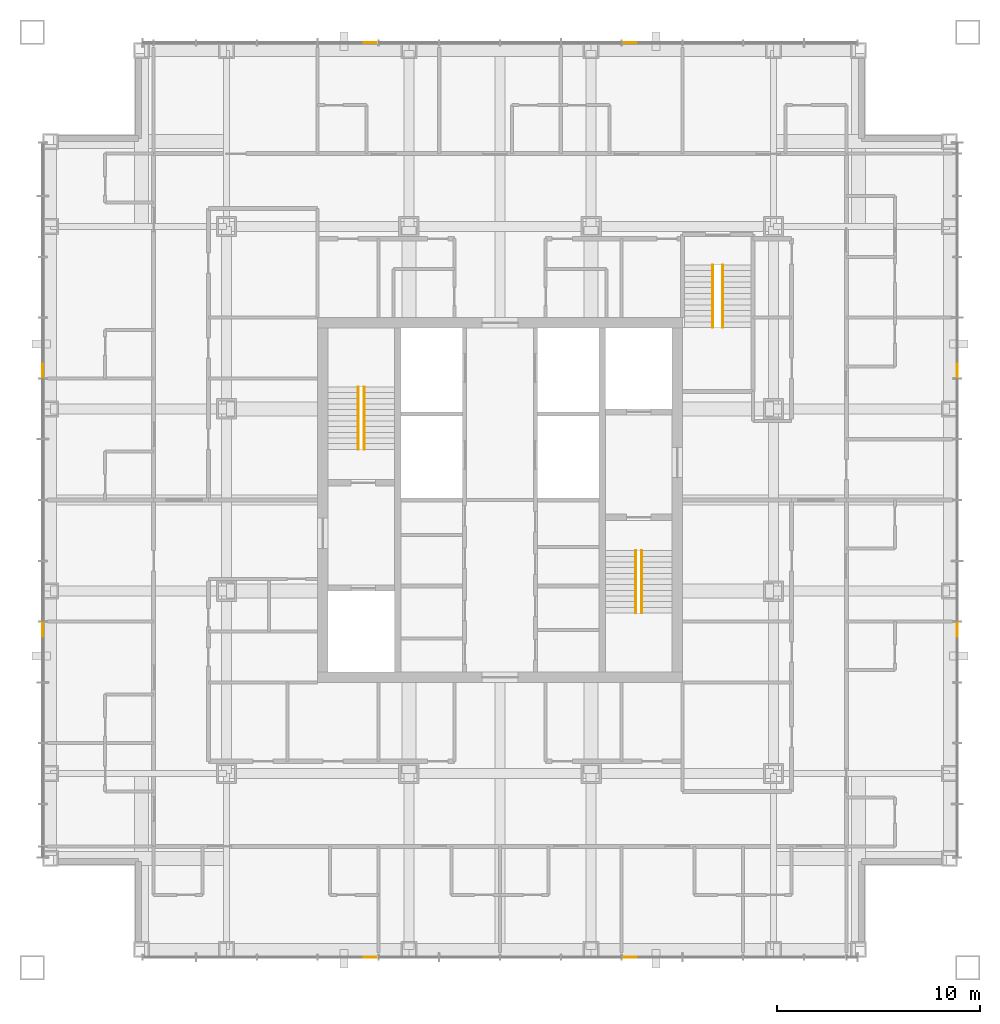
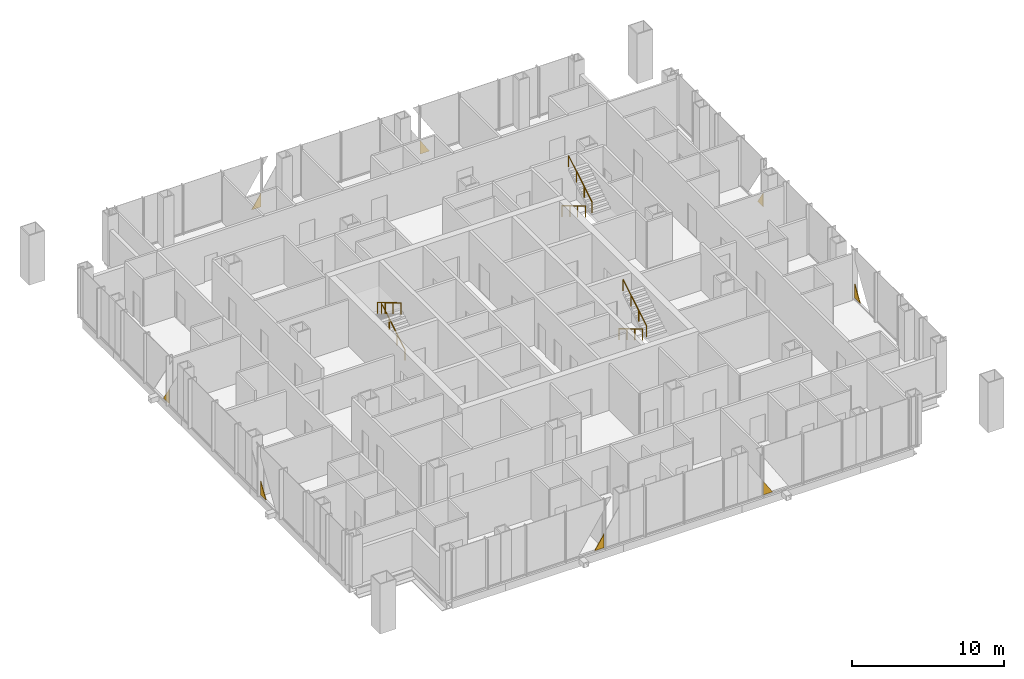
# One storey, part 18 of 20: 8 coverings, 6 railings.
"""IFC4 building model written with IfcOpenShell, lengths in metres."""

import ifcopenshell
import ifcopenshell.guid

model = None  # the IFC model being written
_history = None  # IfcOwnerHistory: only IFC2X3 demands one
_inside = {}  # id of a spatial element -> (the spatial element, [elements in it])
_under = {}  # id of a project, library or spatial element -> (it, [spatial elements below it])
_declared = {}  # id of a project -> (the project, [libraries it declares])
_typed = {}  # id of a type object -> (the type object, [elements of that type])
_made_of = {}  # id of a material, layer set ... -> (it, [elements and type objects made of it])


def new_model(schema):
    """Start an empty IFC model of exactly this schema.

    Asked for "IFC4X3", IfcOpenShell would pick the latest addendum, in which some entities
    have other attributes; the version numbers below select the first issue.
    IFC2X3 requires an IfcOwnerHistory on every rooted entity: one is made here for all.
    """
    global model, _history
    if schema == "IFC4X3":
        model = ifcopenshell.file(schema_version=(4, 3, 0, 0))
    else:
        model = ifcopenshell.file(schema=schema)
    _inside.clear()
    _under.clear()
    _declared.clear()
    _typed.clear()
    _made_of.clear()
    _history = None
    if model.schema == "IFC2X3":
        org = make("IfcOrganization", Name="unknown")
        user = make(
            "IfcPersonAndOrganization",
            ThePerson=make("IfcPerson", FamilyName="unknown"),
            TheOrganization=org,
        )
        app = make(
            "IfcApplication",
            ApplicationDeveloper=org,
            Version="unknown",
            ApplicationFullName="unknown",
            ApplicationIdentifier="unknown",
        )
        _history = make(
            "IfcOwnerHistory",
            OwningUser=user,
            OwningApplication=app,
            ChangeAction="ADDED",
            CreationDate=0,
        )
    return model


def make(cls, **values):
    """One entity of the class cls with the attributes given. An attribute that is None is left unset."""
    return model.create_entity(
        cls, **{name: value for name, value in values.items() if value is not None}
    )


def rooted(cls, **values):
    """An entity with a GlobalId (a new one), such as an element, a storey or a relation."""
    return make(cls, GlobalId=ifcopenshell.guid.new(), OwnerHistory=_history, **values)


def si_unit(unit_type, name, prefix=None):
    """IfcSIUnit, for example si_unit("LENGTHUNIT", "METRE", prefix="MILLI")."""
    return make("IfcSIUnit", UnitType=unit_type, Prefix=prefix, Name=name)


def assignment(units):
    """IfcUnitAssignment: the units of a project."""
    return None if units is None else make("IfcUnitAssignment", Units=units)


def point(xyz):
    """IfcCartesianPoint."""
    return None if xyz is None else make("IfcCartesianPoint", Coordinates=xyz)


def direction(xyz):
    """IfcDirection."""
    return None if xyz is None else make("IfcDirection", DirectionRatios=xyz)


def frame(location, z_axis=None, x_axis=None):
    """IfcAxis2Placement3D, a coordinate frame: its origin and axes. An axis left out is left unset."""
    return make(
        "IfcAxis2Placement3D",
        Location=point(location),
        Axis=direction(z_axis),
        RefDirection=direction(x_axis),
    )


def frame_2d(location, x_axis=None):
    """IfcAxis2Placement2D, a coordinate frame in the plane: its origin and x axis."""
    return make(
        "IfcAxis2Placement2D", Location=point(location), RefDirection=direction(x_axis)
    )


def origin():
    """The frame at (0, 0, 0) with its axes left unset."""
    return frame((0.0, 0.0, 0.0))


def origin_2d():
    """The frame at (0, 0) in the plane with its x axis left unset."""
    return frame_2d((0.0, 0.0))


def place(relative_to, where):
    """IfcLocalPlacement: puts the frame where relative to a parent placement (None: the world)."""
    return make(
        "IfcLocalPlacement", PlacementRelTo=relative_to, RelativePlacement=where
    )


def context(
    kind, dimensions, precision=None, world=None, true_north=None, identifier=None
):
    """IfcGeometricRepresentationContext, for example the 3D "Model" context."""
    return make(
        "IfcGeometricRepresentationContext",
        ContextIdentifier=identifier,
        ContextType=kind,
        CoordinateSpaceDimension=dimensions,
        Precision=precision,
        WorldCoordinateSystem=world,
        TrueNorth=true_north,
    )


def subcontext(parent, identifier, kind, view, scale=None):
    """IfcGeometricRepresentationSubContext, for example "Body" below "Model"."""
    return make(
        "IfcGeometricRepresentationSubContext",
        ContextIdentifier=identifier,
        ContextType=kind,
        ParentContext=parent,
        TargetScale=scale,
        TargetView=view,
    )


def project(units=None, contexts=None):
    """IfcProject with its units and contexts."""
    return rooted(
        "IfcProject",
        Name="project",
        RepresentationContexts=contexts,
        UnitsInContext=assignment(units),
    )


def spatial(cls, under=None, at=None, **own):
    """A site, building, storey or space (cls), placed at a placement, below another one or the project."""
    s = rooted(cls, ObjectPlacement=at, **own)
    if under is not None:
        _under.setdefault(under.id(), (under, []))[1].append(s)
    return s


def polyline(points):
    """IfcPolyline through the points."""
    return make("IfcPolyline", Points=[point(p) for p in points])


def profile(cls, at=None, kind="AREA", **sizes):
    """A parametric profile (cls). Its sizes go by their IFC names, for example OverallWidth=200.0."""
    return make(cls, ProfileType=kind, Position=at, **sizes)


def circle(**sizes):
    """IfcCircleProfileDef."""
    return profile("IfcCircleProfileDef", **sizes)


def outline(outer, holes=None, kind="AREA"):
    """IfcArbitraryClosedProfileDef: a profile drawn as a closed curve; with holes, ...WithVoids."""
    if holes is None:
        return make("IfcArbitraryClosedProfileDef", ProfileType=kind, OuterCurve=outer)
    return make(
        "IfcArbitraryProfileDefWithVoids",
        ProfileType=kind,
        OuterCurve=outer,
        InnerCurves=holes,
    )


def extrude(swept, where, along, depth):
    """IfcExtrudedAreaSolid: the profile swept, set in the frame where, extruded along a direction by depth."""
    return make(
        "IfcExtrudedAreaSolid",
        SweptArea=swept,
        Position=where,
        ExtrudedDirection=direction(along),
        Depth=depth,
    )


def shape(context_of_items, identifier, shape_type, items):
    """IfcShapeRepresentation: the items that make up one representation, for example the "Body"."""
    return make(
        "IfcShapeRepresentation",
        ContextOfItems=context_of_items,
        RepresentationIdentifier=identifier,
        RepresentationType=shape_type,
        Items=items,
    )


def material(Name=None, Category=None):
    """IfcMaterial."""
    return make("IfcMaterial", Name=Name, Category=Category)


def layer(
    of_material, thickness, ventilated=None, Name=None, Category=None, Priority=None
):
    """IfcMaterialLayer: one layer of a wall or slab, of a material (None: an air gap)."""
    return make(
        "IfcMaterialLayer",
        Material=of_material,
        LayerThickness=thickness,
        IsVentilated=ventilated,
        Name=Name,
        Category=Category,
        Priority=Priority,
    )


def layer_set(layers, Name=None):
    """IfcMaterialLayerSet."""
    return make("IfcMaterialLayerSet", MaterialLayers=layers, LayerSetName=Name)


def made_of(thing, what):
    """Note that an element or type object is made of a material, layer set ...; save() writes the relation."""
    if what is not None:
        _made_of.setdefault(what.id(), (what, []))[1].append(thing)
    return thing


def type_object(cls, material=None, **own):
    """A type object (cls), such as IfcWallType, which elements share."""
    return made_of(rooted(cls, **own), material)


def element(
    cls,
    number,
    at=None,
    inside=None,
    cuts=None,
    type_object=None,
    material=None,
    context=None,
    identifier="Body",
    shape_type=None,
    held_by="IfcProductDefinitionShape",
    body=None,
    shapes=None,
    **own,
):
    """One element of the class cls, such as IfcWall. Its Tag is "e" and its number.

    at: its placement. inside: the storey or other place that contains it. cuts: it is an
    opening in that element (IfcRelVoidsElement). A single representation is given by context,
    identifier, shape_type and body (its items); several are given by shapes. held_by: the class
    of the entity that holds the representations. save() writes the other relations.
    """
    e = rooted(cls, Tag="e%d" % number, ObjectPlacement=at, **own)
    if body is not None:
        shapes = [shape(context, identifier, shape_type, body)]
    if shapes is not None:
        e.Representation = make(held_by, Representations=shapes)
    if inside is not None:
        _inside.setdefault(inside.id(), (inside, []))[1].append(e)
    if cuts is not None:
        rooted(
            "IfcRelVoidsElement", RelatingBuildingElement=cuts, RelatedOpeningElement=e
        )
    if type_object is not None:
        _typed.setdefault(type_object.id(), (type_object, []))[1].append(e)
    return made_of(e, material)


def aggregate(whole, parts):
    """IfcRelAggregates: a whole, such as a stair, and the parts it consists of."""
    return rooted("IfcRelAggregates", RelatingObject=whole, RelatedObjects=parts)


def save(model, path):
    """Write the relations noted so far, then the file.

    IfcRelAggregates (storeys below a building ...), IfcRelContainedInSpatialStructure (elements
    in a storey), IfcRelDefinesByType, IfcRelAssociatesMaterial and IfcRelDeclares: one each for
    every whole, place, type object, material and project.
    """
    for whole, parts in _under.values():
        aggregate(whole, parts)
    for where, things in _inside.values():
        rooted(
            "IfcRelContainedInSpatialStructure",
            RelatedElements=things,
            RelatingStructure=where,
        )
    for kind, things in _typed.values():
        rooted("IfcRelDefinesByType", RelatedObjects=things, RelatingType=kind)
    for what, things in _made_of.values():
        rooted("IfcRelAssociatesMaterial", RelatedObjects=things, RelatingMaterial=what)
    for by, libraries in _declared.values():
        rooted("IfcRelDeclares", RelatingContext=by, RelatedDefinitions=libraries)
    model.write(path)


model = new_model("IFC4")

# Units and contexts
model_context = context("Model", 3, precision=1e-05, world=origin(), true_north=direction((0.0, 1.0)))
body_context = subcontext(model_context, "Body", "Model", "MODEL_VIEW")
ifc_project = project(units=[si_unit("LENGTHUNIT", "METRE"), si_unit("AREAUNIT", "SQUARE_METRE"), si_unit("VOLUMEUNIT", "CUBIC_METRE"), si_unit("PLANEANGLEUNIT", "RADIAN"), si_unit("MASSUNIT", "GRAM", prefix="KILO")], contexts=[model_context])

# Site, building, storey
site_placement = place(None, origin())
site = spatial("IfcSite", under=ifc_project, at=site_placement, CompositionType="ELEMENT")
building_placement = place(site_placement, origin())
building = spatial("IfcBuilding", under=site, at=building_placement, Name="Malebo Sky Hospital", CompositionType="ELEMENT")
storey_placement = place(building_placement, frame((0.0, 0.0, 233.0)))
storey = spatial("IfcBuildingStorey", under=building, at=storey_placement, Name="L56", CompositionType="ELEMENT", Elevation=233.0)

# Coverings
ifc_material_1 = material(Name="Anodised aluminium, natural silver insulated infill panel", Category="aluminium")
ifc_layer = layer(ifc_material_1, 0.0400390625)
ifc_layer_set = layer_set([ifc_layer], Name="BRACE INFILL PANEL 40")
covering_type = type_object("IfcCoveringType", Name="BRACE INFILL PANEL 40", PredefinedType="CLADDING", material=ifc_layer_set)
covering_1_placement = place(storey_placement, frame((53.603759765625, 84.574951171875, 0.10009765625), z_axis=(0.0, 0.0, 1.0), x_axis=(1.0, 0.0, 0.0)))
element("IfcCovering", 1, at=covering_1_placement, inside=storey, type_object=covering_type, Name="Brace infill panel 5.1", PredefinedType="CLADDING", context=body_context, shape_type="SweptSolid", body=[
    extrude(outline(polyline([(-0.358642578125, 0.0), (0.358642578125, 0.0), (0.358642578125, 1.117919921875), (-0.358642578125, 0.0)])), frame((0.0, 0.02001953125, 0.0), z_axis=(0.0, -1.0, 0.0), x_axis=(1.0, 0.0, 0.0)), (0.0, 0.0, 1.0), 0.0400390625),
])
covering_2_placement = place(storey_placement, frame((66.396240234375, 84.574951171875, 0.10009765625), z_axis=(0.0, 0.0, 1.0), x_axis=(1.0, 0.0, 0.0)))
element("IfcCovering", 2, at=covering_2_placement, inside=storey, type_object=covering_type, Name="Brace infill panel 10.1", PredefinedType="CLADDING", context=body_context, shape_type="SweptSolid", body=[
    extrude(outline(polyline([(-0.358642578125, 0.0), (0.358642578125, 0.0), (-0.358642578125, 1.117919921875), (-0.358642578125, 0.0)])), frame((0.0, 0.02001953125, 0.0), z_axis=(0.0, -1.0, 0.0), x_axis=(1.0, 0.0, 0.0)), (0.0, 0.0, 1.0), 0.0400390625),
])
covering_3_placement = place(storey_placement, frame((37.425048828125, 55.603759765625, 0.10009765625), z_axis=(0.0, 0.0, 1.0), x_axis=(0.0, 1.0, 0.0)))
element("IfcCovering", 3, at=covering_3_placement, inside=storey, type_object=covering_type, Name="Brace infill panel 5.1", PredefinedType="CLADDING", context=body_context, shape_type="SweptSolid", body=[
    extrude(outline(polyline([(-0.358642578125, 0.0), (0.358642578125, 0.0), (0.358642578125, 1.117919921875), (-0.358642578125, 0.0)])), frame((0.0, 0.02001953125, 0.0), z_axis=(0.0, -1.0, 0.0), x_axis=(1.0, 0.0, 0.0)), (0.0, 0.0, 1.0), 0.0400390625),
])
covering_4_placement = place(storey_placement, frame((37.425048828125, 68.396240234375, 0.10009765625), z_axis=(0.0, 0.0, 1.0), x_axis=(0.0, 1.0, 0.0)))
element("IfcCovering", 4, at=covering_4_placement, inside=storey, type_object=covering_type, Name="Brace infill panel 10.1", PredefinedType="CLADDING", context=body_context, shape_type="SweptSolid", body=[
    extrude(outline(polyline([(-0.358642578125, 0.0), (0.358642578125, 0.0), (-0.358642578125, 1.117919921875), (-0.358642578125, 0.0)])), frame((0.0, 0.02001953125, 0.0), z_axis=(0.0, -1.0, 0.0), x_axis=(1.0, 0.0, 0.0)), (0.0, 0.0, 1.0), 0.0400390625),
])
covering_5_placement = place(storey_placement, frame((66.396240234375, 39.425048828125, 0.10009765625), z_axis=(0.0, 0.0, 1.0), x_axis=(-1.0, 0.0, 0.0)))
element("IfcCovering", 5, at=covering_5_placement, inside=storey, type_object=covering_type, Name="Brace infill panel 5.1", PredefinedType="CLADDING", context=body_context, shape_type="SweptSolid", body=[
    extrude(outline(polyline([(-0.358642578125, 0.0), (0.358642578125, 0.0), (0.358642578125, 1.117919921875), (-0.358642578125, 0.0)])), frame((0.0, 0.02001953125, 0.0), z_axis=(0.0, -1.0, 0.0), x_axis=(1.0, 0.0, 0.0)), (0.0, 0.0, 1.0), 0.0400390625),
])
covering_6_placement = place(storey_placement, frame((53.603759765625, 39.425048828125, 0.10009765625), z_axis=(0.0, 0.0, 1.0), x_axis=(-1.0, 0.0, 0.0)))
element("IfcCovering", 6, at=covering_6_placement, inside=storey, type_object=covering_type, Name="Brace infill panel 10.1", PredefinedType="CLADDING", context=body_context, shape_type="SweptSolid", body=[
    extrude(outline(polyline([(-0.358642578125, 0.0), (0.358642578125, 0.0), (-0.358642578125, 1.117919921875), (-0.358642578125, 0.0)])), frame((0.0, 0.02001953125, 0.0), z_axis=(0.0, -1.0, 0.0), x_axis=(1.0, 0.0, 0.0)), (0.0, 0.0, 1.0), 0.0400390625),
])
covering_7_placement = place(storey_placement, frame((82.574951171875, 68.396240234375, 0.10009765625), z_axis=(0.0, 0.0, 1.0), x_axis=(0.0, -1.0, 0.0)))
element("IfcCovering", 7, at=covering_7_placement, inside=storey, type_object=covering_type, Name="Brace infill panel 5.1", PredefinedType="CLADDING", context=body_context, shape_type="SweptSolid", body=[
    extrude(outline(polyline([(-0.358642578125, 0.0), (0.358642578125, 0.0), (0.358642578125, 1.117919921875), (-0.358642578125, 0.0)])), frame((0.0, 0.02001953125, 0.0), z_axis=(0.0, -1.0, 0.0), x_axis=(1.0, 0.0, 0.0)), (0.0, 0.0, 1.0), 0.0400390625),
])
covering_8_placement = place(storey_placement, frame((82.574951171875, 55.603759765625, 0.10009765625), z_axis=(0.0, 0.0, 1.0), x_axis=(0.0, -1.0, 0.0)))
element("IfcCovering", 8, at=covering_8_placement, inside=storey, type_object=covering_type, Name="Brace infill panel 10.1", PredefinedType="CLADDING", context=body_context, shape_type="SweptSolid", body=[
    extrude(outline(polyline([(-0.358642578125, 0.0), (0.358642578125, 0.0), (-0.358642578125, 1.117919921875), (-0.358642578125, 0.0)])), frame((0.0, 0.02001953125, 0.0), z_axis=(0.0, -1.0, 0.0), x_axis=(1.0, 0.0, 0.0)), (0.0, 0.0, 1.0), 0.0400390625),
])

# Railings
ifc_material_2 = material(Name="Stainless steel tube", Category="steel")
railing_type = type_object("IfcRailingType", Name="STAIR HANDRAIL 900", PredefinedType="HANDRAIL", material=ifc_material_2)
railing_1_placement = place(storey_placement, frame((53.300048828125, 64.5, 0.166748046875)))
element("IfcRailing", 9, at=railing_1_placement, inside=storey, type_object=railing_type, Name="Stair handrail S1 flight 1", PredefinedType="HANDRAIL", context=body_context, shape_type="SweptSolid", body=[
    extrude(circle(Radius=0.02392578125, at=origin_2d()), frame((0.0, 0.0, 0.8759765625), z_axis=(0.0, 0.859308565015, 0.511457515432), x_axis=(-1.0, 0.0, 0.0)), (0.0, 0.0, 1.0), 3.58447265625),
    extrude(circle(Radius=0.02099609375, at=origin_2d()), origin(), (0.0, 0.0, 1.0), 0.851806640625),
    extrude(circle(Radius=0.02099609375, at=origin_2d()), frame((0.0, 1.026611328125, 0.611083984375)), (0.0, 0.0, 1.0), 0.851806640625),
    extrude(circle(Radius=0.02099609375, at=origin_2d()), frame((0.0, 2.053466796875, 1.22216796875)), (0.0, 0.0, 1.0), 0.851806640625),
    extrude(circle(Radius=0.02099609375, at=origin_2d()), frame((0.0, 3.080078125, 1.833251953125)), (0.0, 0.0, 1.0), 0.851806640625),
])
for number, where, name in (
    (10, (53.0, 67.580078125, 2.166748046875), "Stair handrail S1 flight 2"),
    (11, (66.699951171875, 59.5, 0.166748046875), "Stair handrail S2 flight 1"),
):
    element("IfcRailing", number, at=place(storey_placement, frame(where)), inside=storey, type_object=railing_type, Name=name, PredefinedType="HANDRAIL", context=body_context, shape_type="SweptSolid", body=[
        extrude(circle(Radius=0.02392578125, at=origin_2d()), frame((0.0, 0.0, 0.8759765625), z_axis=(0.0, -0.859308565015, 0.511457515432), x_axis=(1.0, 0.0, 0.0)), (0.0, 0.0, 1.0), 3.58447265625),
        extrude(circle(Radius=0.02099609375, at=origin_2d()), origin(), (0.0, 0.0, 1.0), 0.851806640625),
        extrude(circle(Radius=0.02099609375, at=origin_2d()), frame((0.0, -1.026611328125, 0.611083984375)), (0.0, 0.0, 1.0), 0.851806640625),
        extrude(circle(Radius=0.02099609375, at=origin_2d()), frame((0.0, -2.053466796875, 1.22216796875)), (0.0, 0.0, 1.0), 0.851806640625),
        extrude(circle(Radius=0.02099609375, at=origin_2d()), frame((0.0, -3.080078125, 1.833251953125)), (0.0, 0.0, 1.0), 0.851806640625),
    ])
railing_2_placement = place(storey_placement, frame((67.0, 56.419921875, 2.166748046875)))
element("IfcRailing", 12, at=railing_2_placement, inside=storey, type_object=railing_type, Name="Stair handrail S2 flight 2", PredefinedType="HANDRAIL", context=body_context, shape_type="SweptSolid", body=[
    extrude(circle(Radius=0.02392578125, at=origin_2d()), frame((0.0, 0.0, 0.8759765625), z_axis=(0.0, 0.859308565015, 0.511457515432), x_axis=(-1.0, 0.0, 0.0)), (0.0, 0.0, 1.0), 3.58447265625),
    extrude(circle(Radius=0.02099609375, at=origin_2d()), origin(), (0.0, 0.0, 1.0), 0.851806640625),
    extrude(circle(Radius=0.02099609375, at=origin_2d()), frame((0.0, 1.026611328125, 0.611083984375)), (0.0, 0.0, 1.0), 0.851806640625),
    extrude(circle(Radius=0.02099609375, at=origin_2d()), frame((0.0, 2.053466796875, 1.22216796875)), (0.0, 0.0, 1.0), 0.851806640625),
    extrude(circle(Radius=0.02099609375, at=origin_2d()), frame((0.0, 3.080078125, 1.833251953125)), (0.0, 0.0, 1.0), 0.851806640625),
])
railing_3_placement = place(storey_placement, frame((70.5, 73.60009765625, 0.166748046875)))
element("IfcRailing", 13, at=railing_3_placement, inside=storey, type_object=railing_type, Name="Stair handrail S3 flight 1", PredefinedType="HANDRAIL", context=body_context, shape_type="SweptSolid", body=[
    extrude(circle(Radius=0.02392578125, at=origin_2d()), frame((0.0, 0.0, 0.8759765625), z_axis=(0.0, -0.859308565015, 0.511457515432), x_axis=(1.0, 0.0, 0.0)), (0.0, 0.0, 1.0), 3.58447265625),
    extrude(circle(Radius=0.02099609375, at=origin_2d()), origin(), (0.0, 0.0, 1.0), 0.851806640625),
    extrude(circle(Radius=0.02099609375, at=origin_2d()), frame((0.0, -1.026611328125, 0.611083984375)), (0.0, 0.0, 1.0), 0.851806640625),
    extrude(circle(Radius=0.02099609375, at=origin_2d()), frame((0.0, -2.053466796875, 1.22216796875)), (0.0, 0.0, 1.0), 0.851806640625),
    extrude(circle(Radius=0.02099609375, at=origin_2d()), frame((0.0, -3.080078125, 1.833251953125)), (0.0, 0.0, 1.0), 0.851806640625),
])
railing_4_placement = place(storey_placement, frame((71.0, 70.52001953125, 2.166748046875)))
element("IfcRailing", 14, at=railing_4_placement, inside=storey, type_object=railing_type, Name="Stair handrail S3 flight 2", PredefinedType="HANDRAIL", context=body_context, shape_type="SweptSolid", body=[
    extrude(circle(Radius=0.02392578125, at=origin_2d()), frame((0.0, 0.0, 0.8759765625), z_axis=(0.0, 0.859308565015, 0.511457515432), x_axis=(-1.0, 0.0, 0.0)), (0.0, 0.0, 1.0), 3.58447265625),
    extrude(circle(Radius=0.02099609375, at=origin_2d()), origin(), (0.0, 0.0, 1.0), 0.851806640625),
    extrude(circle(Radius=0.02099609375, at=origin_2d()), frame((0.0, 1.026611328125, 0.611083984375)), (0.0, 0.0, 1.0), 0.851806640625),
    extrude(circle(Radius=0.02099609375, at=origin_2d()), frame((0.0, 2.053466796875, 1.22216796875)), (0.0, 0.0, 1.0), 0.851806640625),
    extrude(circle(Radius=0.02099609375, at=origin_2d()), frame((0.0, 3.080078125, 1.833251953125)), (0.0, 0.0, 1.0), 0.851806640625),
])

save(model, "model.ifc")
